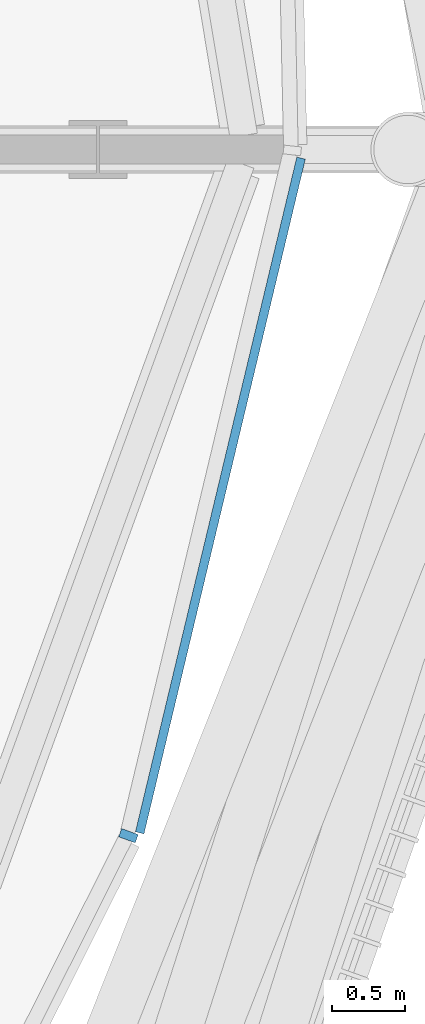
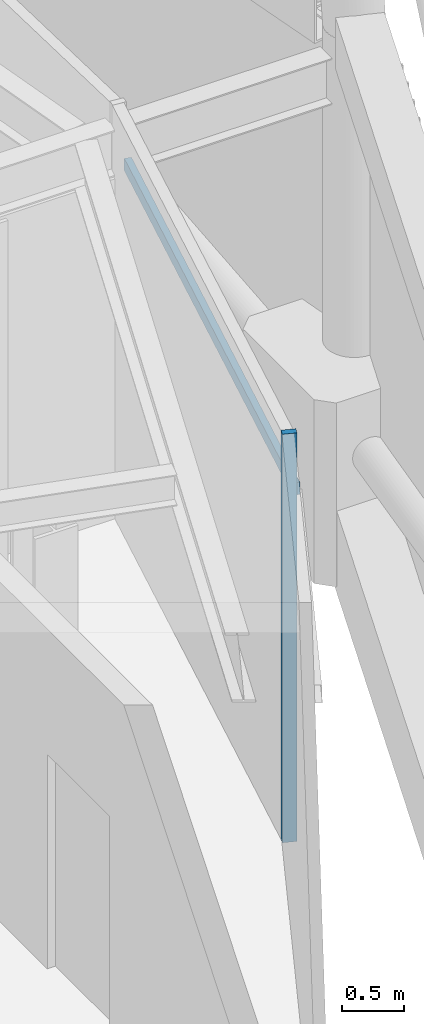
# One storey, part 51 of 71: 2 members, 1 element without a shape of its own.
"""IFC4 building model written with IfcOpenShell, lengths in metres."""

from ifc_helpers import new_model, si_unit, direction, frame, origin, origin_2d, place, context, subcontext, project, spatial, rectangle, extrude, material, material_profile, profile_set, type_object, element, aggregate, save


model = new_model("IFC4")

# Units and contexts
model_context = context("Model", 3, precision=1e-05, world=origin(), true_north=direction((0.0, 1.0)))
body_context = subcontext(model_context, "Body", "Model", "MODEL_VIEW")
ifc_project = project(units=[si_unit("LENGTHUNIT", "METRE"), si_unit("AREAUNIT", "SQUARE_METRE"), si_unit("VOLUMEUNIT", "CUBIC_METRE"), si_unit("PLANEANGLEUNIT", "RADIAN"), si_unit("MASSUNIT", "GRAM", prefix="KILO")], contexts=[model_context])

# Site, building, storey
site_placement = place(None, origin())
site = spatial("IfcSite", under=ifc_project, at=site_placement, CompositionType="ELEMENT")
building_placement = place(site_placement, origin())
building = spatial("IfcBuilding", under=site, at=building_placement, Name="Rimbun Link Towers", CompositionType="ELEMENT")
storey_placement = place(building_placement, frame((0.0, 0.0, 267.60009765625)))
storey = spatial("IfcBuildingStorey", under=building, at=storey_placement, Name="L65", CompositionType="ELEMENT", Elevation=267.60009765625)

# Curtain wall, members
ifc_material_1 = material(Name="Aluminium 6063-T6 louvre wall", Category="aluminium")
curtain_wall_type = type_object("IfcCurtainWallType", Name="CW6 plant floor louvre wall", PredefinedType="NOTDEFINED", material=ifc_material_1)
curtain_wall_placement = place(storey_placement, origin())
curtain_wall = element("IfcCurtainWall", 1, at=curtain_wall_placement, inside=storey, type_object=curtain_wall_type, Name="CW6 L65 T2", PredefinedType="NOTDEFINED")
ifc_material_2 = material(Name="Aluminium 6063-T6", Category="aluminium")
ifc_material_profile_1 = material_profile(ifc_material_2, rectangle(XDim=0.1201171875, YDim=0.06005859375, at=origin_2d()), Name="MULLION 60X120")
ifc_profile_set_1 = profile_set([ifc_material_profile_1], Name="Aluminium 6063-T6")
member_type_1 = type_object("IfcMemberType", Name="CW6 mullion 60X120", PredefinedType="MULLION", material=ifc_profile_set_1)
member_1_placement = place(storey_placement, frame((49.230224609375, -4.689208984375, 0.0), z_axis=(0.0, 0.0, 1.0), x_axis=(0.939349417075, -0.342961619779, 0.0)))
member_1 = element("IfcMember", 2, at=member_1_placement, type_object=member_type_1, Name="CW6 mullion", PredefinedType="MULLION", context=body_context, shape_type="SweptSolid", body=[
    extrude(rectangle(XDim=0.1201171875, YDim=0.06005859375, at=origin_2d()), origin(), (0.0, 0.0, 1.0), 4.0),
])
ifc_material_3 = material(Name="Aluminium 6063-T6", Category="aluminium")
ifc_material_profile_2 = material_profile(ifc_material_3, rectangle(XDim=0.06005859375, YDim=0.1201171875, at=origin_2d()), Name="TRANSOM 60X120")
ifc_profile_set_2 = profile_set([ifc_material_profile_2], Name="Aluminium 6063-T6")
member_type_2 = type_object("IfcMemberType", Name="CW6 transom 60X120", PredefinedType="USERDEFINED", material=ifc_profile_set_2)
member_2_placement = place(storey_placement, frame((50.409912109375, -0.059326171875, 3.39990234375), z_axis=(-0.232585921944, -0.972575852524, 0.0), x_axis=(0.972575852524, -0.232585921944, 0.0)))
member_2 = element("IfcMember", 3, at=member_2_placement, type_object=member_type_2, Name="CW6 transom", ObjectType="TRANSOM", PredefinedType="USERDEFINED", context=body_context, shape_type="SweptSolid", body=[
    extrude(rectangle(XDim=0.06005859375, YDim=0.1201171875, at=origin_2d()), origin(), (0.0, 0.0, 1.0), 4.740234375),
])
aggregate(curtain_wall, [member_1, member_2])

save(model, "model.ifc")
